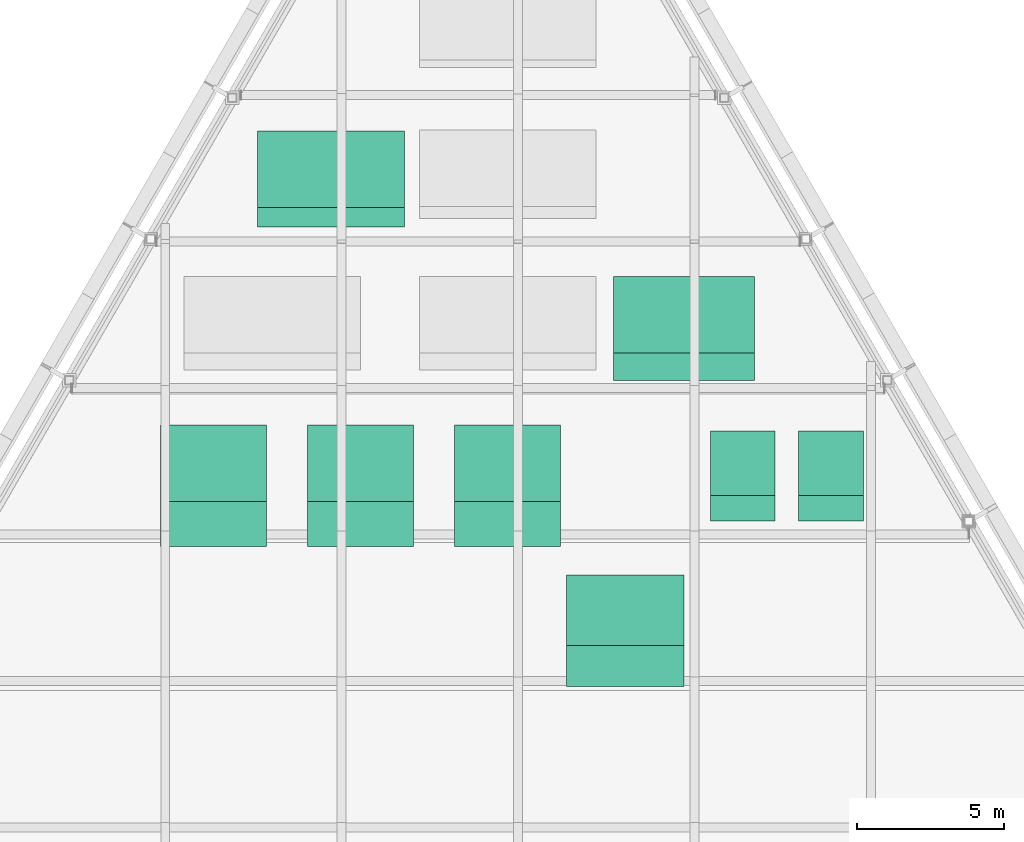
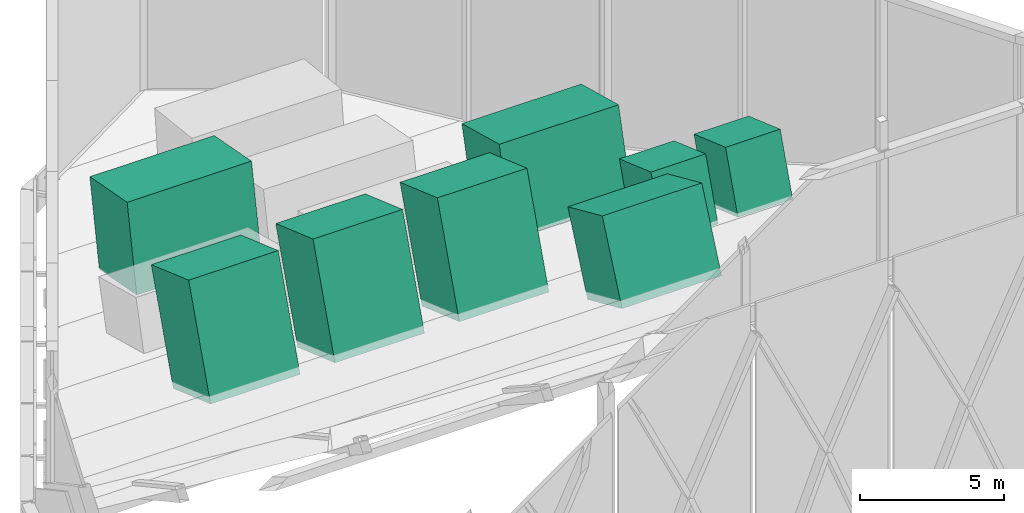
# One storey, part 12 of 13: 3 cooling towers, 2 fans, 2 unitary equipment elements, 1 tank.
"""IFC4 building model written with IfcOpenShell, lengths in metres."""

from ifc_helpers import new_model, si_unit, direction, frame, origin, place, context, subcontext, project, spatial, polyline, outline, extrude, material, type_object, element, save


model = new_model("IFC4")

# Units and contexts
model_context = context("Model", 3, precision=1e-05, world=origin(), true_north=direction((0.0, 1.0)))
body_context = subcontext(model_context, "Body", "Model", "MODEL_VIEW")
ifc_project = project(units=[si_unit("LENGTHUNIT", "METRE"), si_unit("AREAUNIT", "SQUARE_METRE"), si_unit("VOLUMEUNIT", "CUBIC_METRE"), si_unit("PLANEANGLEUNIT", "RADIAN"), si_unit("MASSUNIT", "GRAM", prefix="KILO")], contexts=[model_context])

# Site, building, storey
site_placement = place(None, origin())
site = spatial("IfcSite", under=ifc_project, at=site_placement, CompositionType="ELEMENT")
building_placement = place(site_placement, origin())
building = spatial("IfcBuilding", under=site, at=building_placement, Name="Firuza Gate Tower and Library", CompositionType="ELEMENT")
storey_placement = place(building_placement, frame((0.0, 0.0, 358.0)))
storey = spatial("IfcBuildingStorey", under=building, at=storey_placement, Name="Upper roof", CompositionType="ELEMENT", Elevation=358.0)

# Unitary equipment
ifc_material_1 = material(Name="Galvanised steel", Category="steel")
unitary_equipment_type = type_object("IfcUnitaryEquipmentType", Name="Crown air handling unit", PredefinedType="AIRHANDLER", material=ifc_material_1)
unitary_equipment_1_placement = place(storey_placement, frame((79.60009765625, 80.75, 7.2861328125), z_axis=(0.0, 0.258170761367, 0.966099300266), x_axis=(1.0, 0.0, 0.0)))
element("IfcUnitaryEquipment", 1, at=unitary_equipment_1_placement, inside=storey, type_object=unitary_equipment_type, Name="AIR HANDLING UNIT 1", PredefinedType="AIRHANDLER", context=body_context, shape_type="SweptSolid", body=[
    extrude(outline(polyline([(0.0, 0.0), (4.7998046875, 0.0), (4.7998046875, 2.6913358238982905), (0.0, 2.6913358238982905), (0.0, 0.0)])), origin(), (0.0, 0.0, -1.0), 3.60009765625),
])
unitary_equipment_2_placement = place(storey_placement, frame((67.5, 85.699951171875, 6.055419921875), z_axis=(0.0, 0.18447797733, 0.982836647607), x_axis=(1.0, 0.0, 0.0)))
element("IfcUnitaryEquipment", 2, at=unitary_equipment_2_placement, inside=storey, type_object=unitary_equipment_type, Name="AIR HANDLING UNIT 2", PredefinedType="AIRHANDLER", context=body_context, shape_type="SweptSolid", body=[
    extrude(outline(polyline([(0.0, 0.0), (5.0, 0.0), (5.0, 2.645503362720193), (0.0, 2.645503362720193), (0.0, 0.0)])), origin(), (0.0, 0.0, -1.0), 3.60009765625),
])

# Cooling towers
ifc_material_2 = material(Name="Galvanised steel", Category="steel")
cooling_tower_type = type_object("IfcCoolingTowerType", Name="Crown cooling tower cell", PredefinedType="MECHANICALINDUCEDDRAFT", material=ifc_material_2)
for number, where, z_axis, x_axis, name in (
    (3, (64.199951171875, 75.699951171875, 9.963134765625), (0.0, 0.332046318784, 0.943263082168), (1.0, 0.0, 0.0), "COOLING TOWER 1"),
    (4, (69.199951171875, 75.699951171875, 9.963134765625), (0.0, 0.332046318784, 0.943263082168), (1.0, 0.0, 0.0), "COOLING TOWER 2"),
    (5, (74.199951171875, 75.699951171875, 9.963134765625), (0.0, 0.332046318784, 0.943263082168), (1.0, 0.0, 0.0), "COOLING TOWER 3"),
):
    element("IfcCoolingTower", number, at=place(storey_placement, frame(where, z_axis=z_axis, x_axis=x_axis)), inside=storey, type_object=cooling_tower_type, Name=name, PredefinedType="MECHANICALINDUCEDDRAFT", context=body_context, shape_type="SweptSolid", body=[
        extrude(outline(polyline([(0.0, 0.0), (3.60009765625, 0.0), (3.60009765625, 2.756492547415919), (0.0, 2.756492547415919), (0.0, 0.0)])), origin(), (0.0, 0.0, -1.0), 4.60009765625),
    ])

# Fans
ifc_material_3 = material(Name="Galvanised steel", Category="steel")
fan_type = type_object("IfcFanType", Name="Crown extract fan", PredefinedType="PROPELLORAXIAL", material=ifc_material_3)
for number, where, z_axis, x_axis, name in (
    (6, (82.89990234375, 75.89990234375, 7.892822265625), (0.0, 0.33200969668, 0.943275973038), (1.0, 0.0, 0.0), "EXTRACT FAN 1"),
    (7, (85.89990234375, 75.89990234375, 7.892822265625), (0.0, 0.33200969668, 0.943275973038), (1.0, 0.0, 0.0), "EXTRACT FAN 2"),
):
    element("IfcFan", number, at=place(storey_placement, frame(where, z_axis=z_axis, x_axis=x_axis)), inside=storey, type_object=fan_type, Name=name, PredefinedType="PROPELLORAXIAL", context=body_context, shape_type="SweptSolid", body=[
        extrude(outline(polyline([(0.0, 0.0), (2.2001953125, 0.0), (2.2001953125, 2.332504352267049), (0.0, 2.332504352267049), (0.0, 0.0)])), origin(), (0.0, 0.0, -1.0), 2.60009765625),
    ])

# Tank
ifc_material_4 = material(Name="Stainless steel 316", Category="steel")
tank_type = type_object("IfcTankType", Name="Crown fire water tank", PredefinedType="STORAGE", material=ifc_material_4)
tank_placement = place(storey_placement, frame((78.0, 70.800048828125, 10.836181640625), z_axis=(0.0, 0.405914171725, 0.913911202028), x_axis=(1.0, 0.0, 0.0)))
element("IfcTank", 8, at=tank_placement, inside=storey, type_object=tank_type, Name="FIRE WATER TANK 1", PredefinedType="STORAGE", context=body_context, shape_type="SweptSolid", body=[
    extrude(outline(polyline([(0.0, 0.0), (4.0, 0.0), (4.0, 2.625968845139041), (0.0, 2.625968845139041), (0.0, 0.0)])), origin(), (0.0, 0.0, -1.0), 3.39990234375),
])

save(model, "model.ifc")
